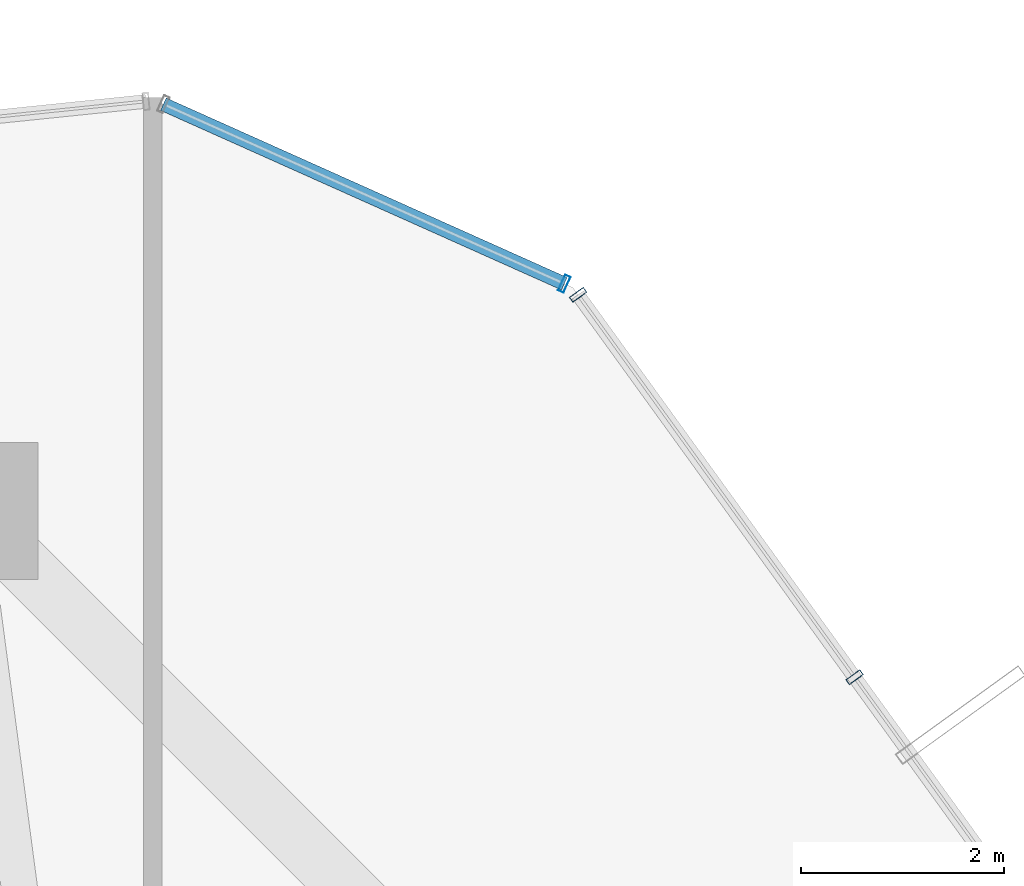
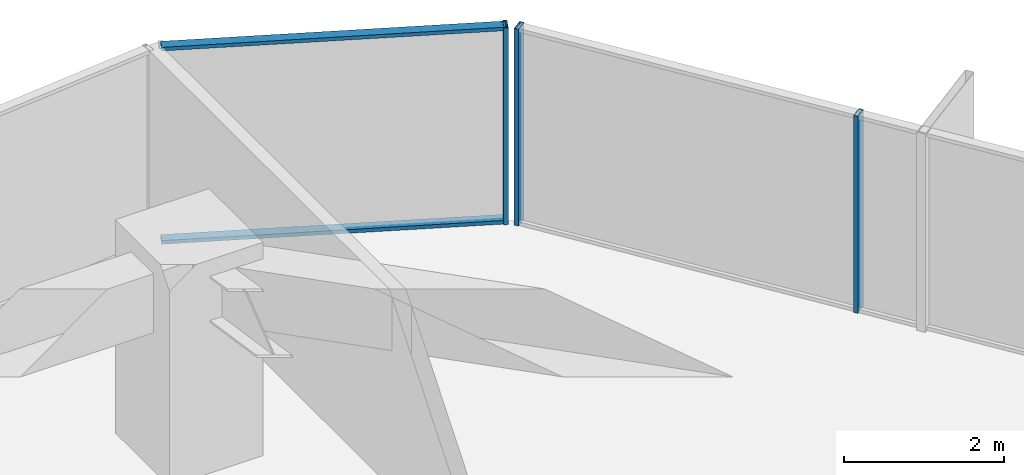
# One storey, part 31 of 37: 5 members, 2 elements without a shape of their own.
"""IFC4 building model written with IfcOpenShell, lengths in metres."""

from ifc_helpers import new_model, si_unit, direction, frame, origin, origin_2d, place, context, subcontext, project, spatial, hollow_rectangle, extrude, source, transform, mapped, material, layer, layer_set, material_profile, profile_set, type_object, element, aggregate, save


model = new_model("IFC4")

# Units and contexts
model_context = context("Model", 3, precision=1e-05, world=origin(), true_north=direction((0.0, 1.0)))
body_context = subcontext(model_context, "Body", "Model", "MODEL_VIEW")
ifc_project = project(units=[si_unit("LENGTHUNIT", "METRE"), si_unit("AREAUNIT", "SQUARE_METRE"), si_unit("VOLUMEUNIT", "CUBIC_METRE"), si_unit("PLANEANGLEUNIT", "RADIAN"), si_unit("MASSUNIT", "GRAM", prefix="KILO")], contexts=[model_context])

# Site, building, storey
site_placement = place(None, origin())
site = spatial("IfcSite", under=ifc_project, at=site_placement, CompositionType="ELEMENT")
building_placement = place(site_placement, origin())
building = spatial("IfcBuilding", under=site, at=building_placement, Name="Veraguas Prism Commons", CompositionType="ELEMENT")
storey_placement = place(building_placement, frame((0.0, 0.0, 43.550048828125)))
storey = spatial("IfcBuildingStorey", under=building, at=storey_placement, Name="L11", CompositionType="ELEMENT", Elevation=43.550048828125)

# Curtain wall, members
ifc_material = material(Name="Anodised aluminium EN AW-6063 T6", Category="aluminium")
ifc_layer = layer(ifc_material, 0.169921875, Name="Unitised Flush Curtain Wall Zone 1", Category="aluminium")
ifc_layer_set = layer_set([ifc_layer], Name="Anodised aluminium EN AW-6063 T6")
curtain_wall_type = type_object("IfcCurtainWallType", Name="Unitised Flush Curtain Wall Zone 1", PredefinedType="NOTDEFINED", material=ifc_layer_set)
curtain_wall_1_placement = place(storey_placement, origin())
curtain_wall_1 = element("IfcCurtainWall", 1, at=curtain_wall_1_placement, inside=storey, type_object=curtain_wall_type, Name="Chamfer Curtain Wall L11-C2", PredefinedType="NOTDEFINED")
ifc_material_profile_1 = material_profile(ifc_material, hollow_rectangle(XDim=0.054931640625, YDim=0.135009765625, WallThickness=0.0029296875, at=origin_2d()), Name="AL55X135X3")
ifc_profile_set_1 = profile_set([ifc_material_profile_1], Name="Anodised aluminium EN AW-6063 T6")
member_type_1 = type_object("IfcMemberType", Name="Curtain Wall Transom Standard AL 55x135x3", PredefinedType="USERDEFINED", material=ifc_profile_set_1)
shared_shape_1 = source(origin(), body_context, "Body", "SweptSolid", [
    extrude(hollow_rectangle(XDim=0.054931640625, YDim=0.135009765625, WallThickness=0.0029296875, at=origin_2d()), origin(), (0.0, 0.0, 1.0), 4.31982421875),
])
member_1_placement = place(storey_placement, frame((35.248046875, 43.836181640625, 0.02734375), z_axis=(-0.912682373037, 0.408669653813, 0.0), x_axis=(0.0, 0.0, 1.0)))
member_1 = element("IfcMember", 2, at=member_1_placement, type_object=member_type_1, Name="CW-Z1 Transom 1", ObjectType="TRANSOM", PredefinedType="USERDEFINED", context=body_context, shape_type="MappedRepresentation", body=[
    mapped(shared_shape_1, transform((0.0, 0.0, 0.0), scale=1.0)),
])
member_2_placement = place(storey_placement, frame((35.248046875, 43.836181640625, 2.972412109375), z_axis=(-0.912682373037, 0.408669653813, 0.0), x_axis=(0.0, 0.0, 1.0)))
member_2 = element("IfcMember", 3, at=member_2_placement, type_object=member_type_1, Name="CW-Z1 Transom 2", ObjectType="TRANSOM", PredefinedType="USERDEFINED", context=body_context, shape_type="MappedRepresentation", body=[
    mapped(shared_shape_1, transform((0.0, 0.0, 0.0), scale=1.0)),
])

curtain_wall_2_placement = place(storey_placement, origin())
curtain_wall_2 = element("IfcCurtainWall", 4, at=curtain_wall_2_placement, inside=storey, type_object=curtain_wall_type, Name="Tower Facade Curtain Wall L11-F1", PredefinedType="NOTDEFINED")
ifc_material_profile_2 = material_profile(ifc_material, hollow_rectangle(XDim=0.06005859375, YDim=0.169921875, WallThickness=0.00390625, at=origin_2d()), Name="AL60X170X4")
ifc_profile_set_2 = profile_set([ifc_material_profile_2], Name="Anodised aluminium EN AW-6063 T6")
member_type_2 = type_object("IfcMemberType", Name="Curtain Wall Mullion Lower AL 60x170x4", PredefinedType="MULLION", material=ifc_profile_set_2)
shared_shape_2 = source(origin(), body_context, "Body", "SweptSolid", [
    extrude(hollow_rectangle(XDim=0.06005859375, YDim=0.169921875, WallThickness=0.00390625, at=origin_2d()), origin(), (0.0, 0.0, 1.0), 3.0),
])
member_3_placement = place(storey_placement, frame((38.10302734375, 39.96630859375, 0.0), z_axis=(0.0, 0.0, 1.0), x_axis=(-0.586086734847, 0.81024831949, 0.0)))
member_3 = element("IfcMember", 5, at=member_3_placement, type_object=member_type_2, Name="CW-Z1 Mullion 4", PredefinedType="MULLION", context=body_context, shape_type="MappedRepresentation", body=[
    mapped(shared_shape_2, transform((0.0, 0.0, 0.0), scale=1.0)),
])
member_4_placement = place(storey_placement, frame((35.383056640625, 43.7265625, 0.0), z_axis=(0.0, 0.0, 1.0), x_axis=(-0.586086734847, 0.81024831949, 0.0)))
member_4 = element("IfcMember", 6, at=member_4_placement, type_object=member_type_2, Name="CW-Z1 Mullion 5", PredefinedType="MULLION", context=body_context, shape_type="MappedRepresentation", body=[
    mapped(shared_shape_2, transform((0.0, 0.0, 0.0), scale=1.0)),
])
aggregate(curtain_wall_2, [member_3, member_4])

# Member
member_5_placement = place(storey_placement, frame((35.248046875, 43.836181640625, 0.0), z_axis=(0.0, 0.0, 1.0), x_axis=(-0.912686594745, 0.408660225337, 0.0)))
member_5 = element("IfcMember", 7, at=member_5_placement, type_object=member_type_2, Name="CW-Z1 Mullion 1", PredefinedType="MULLION", context=body_context, shape_type="MappedRepresentation", body=[
    mapped(shared_shape_2, transform((0.0, 0.0, 0.0), scale=1.0)),
])

aggregate(curtain_wall_1, [member_5, member_1, member_2])

save(model, "model.ifc")
